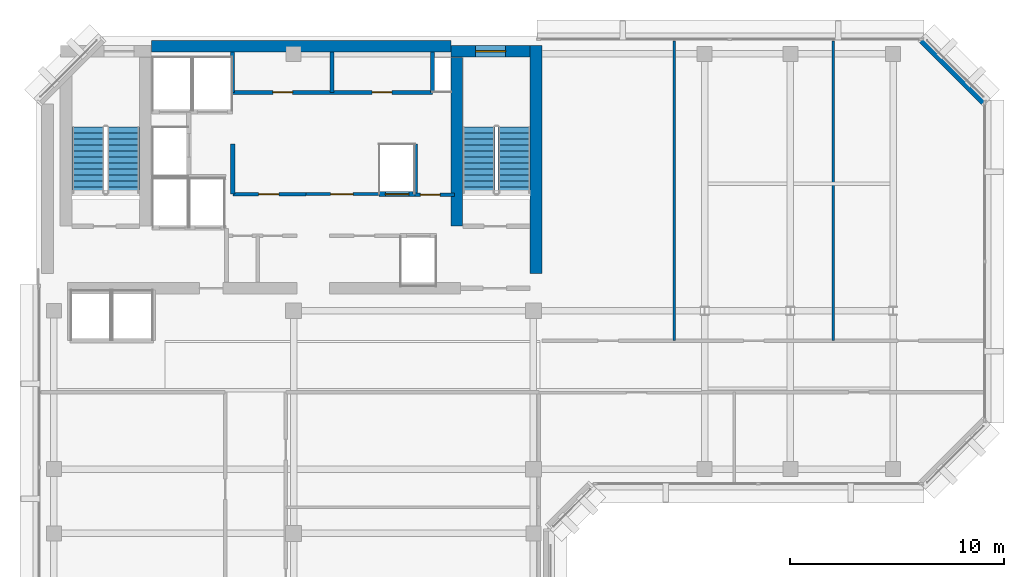
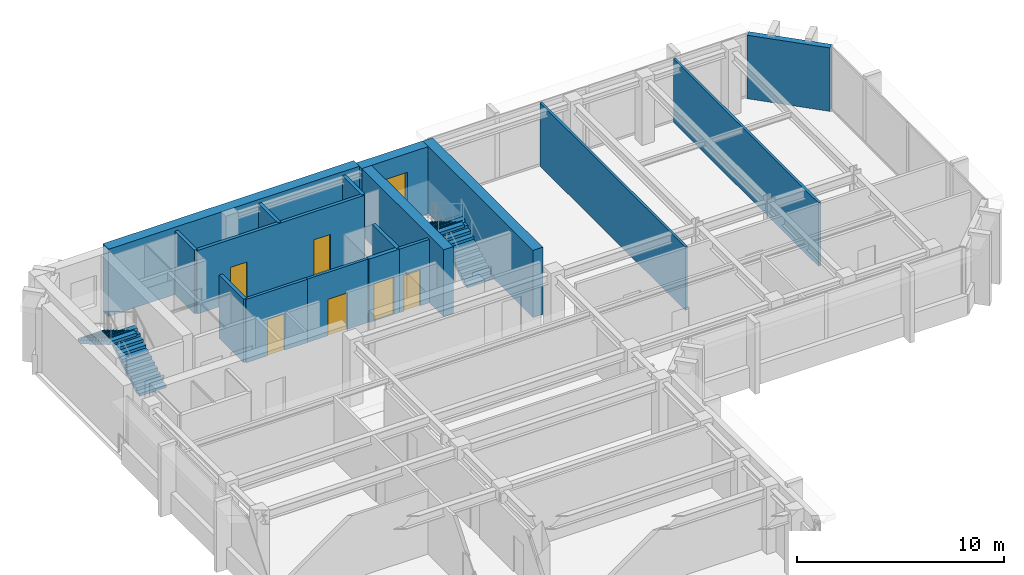
# One storey, part 8 of 11: 17 walls, 6 doors, 4 stair flights, 1 window, 7 openings, 2 elements without a shape of their own.
"""IFC4 building model written with IfcOpenShell, lengths in metres."""

from ifc_helpers import new_model, si_unit, direction, frame, frame_2d, origin, place, context, subcontext, project, spatial, polyline, rectangle, outline, extrude, material, layer, layer_set, type_object, element, fill, aggregate, save


model = new_model("IFC4")

# Units and contexts
model_context = context("Model", 3, precision=1e-05, world=origin(), true_north=direction((0.0, 1.0)))
body_context = subcontext(model_context, "Body", "Model", "MODEL_VIEW")
ifc_project = project(units=[si_unit("LENGTHUNIT", "METRE"), si_unit("AREAUNIT", "SQUARE_METRE"), si_unit("VOLUMEUNIT", "CUBIC_METRE"), si_unit("PLANEANGLEUNIT", "RADIAN"), si_unit("MASSUNIT", "GRAM", prefix="KILO")], contexts=[model_context])

# Site, building, storey
site_placement = place(None, origin())
site = spatial("IfcSite", under=ifc_project, at=site_placement, CompositionType="ELEMENT")
building_placement = place(site_placement, origin())
building = spatial("IfcBuilding", under=site, at=building_placement, Name="Kefirva Bronze Tower", CompositionType="ELEMENT")
storey_placement = place(building_placement, frame((0.0, 0.0, 299.969970703125)))
storey = spatial("IfcBuildingStorey", under=building, at=storey_placement, Name="L73", CompositionType="ELEMENT", Elevation=299.969970703125)

# Walls
ifc_material_1 = material(Name="Gypsum acoustic partition")
ifc_layer_1 = layer(ifc_material_1, 0.1298828125, Name="Gypsum acoustic partition")
ifc_layer_set_1 = layer_set([ifc_layer_1], Name="Gypsum acoustic partition")
wall_type_1 = type_object("IfcWallType", Name="Acoustic Office Partition 130mm", PredefinedType="PARTITIONING", material=ifc_layer_set_1)
for number, where, z_axis, x_axis, name in (
    (1, (29.782958984375, 31.800048828125, 0.0), (0.0, 0.0, 1.0), (0.0, 1.0, 0.0), "L73 Partition W-L73-END1"),
    (2, (37.20263671875, 31.800048828125, 0.0), (0.0, 0.0, 1.0), (0.0, 1.0, 0.0), "L73 Partition W-L73-END2"),
):
    element("IfcWall", number, at=place(storey_placement, frame(where, z_axis=z_axis, x_axis=x_axis)), inside=storey, type_object=wall_type_1, Name=name, PredefinedType="PARTITIONING", context=body_context, shape_type="SweptSolid", body=[
        extrude(rectangle(XDim=14.010009765625, YDim=0.1298828125, at=frame_2d((7.0048828125, 0.0))), origin(), (0.0, 0.0, 1.0), 3.739990234375),
    ])

# Wall, opening, door
ifc_layer_2 = layer(ifc_material_1, 0.14990234375, Name="Gypsum acoustic partition")
ifc_layer_set_2 = layer_set([ifc_layer_2], Name="Gypsum acoustic partition")
wall_type_2 = type_object("IfcWallType", Name="Executive Suite Partition 150mm", PredefinedType="PARTITIONING", material=ifc_layer_set_2)
wall_1_placement = place(storey_placement, frame((12.580078125, 38.64990234375, 0.0), z_axis=(0.0, 0.0, 1.0), x_axis=(1.0, 0.0, 0.0)))
wall_1 = element("IfcWall", 3, at=wall_1_placement, inside=storey, type_object=wall_type_2, Name="L73 Partition W-L73-RECMP2", PredefinedType="PARTITIONING", context=body_context, shape_type="SweptSolid", body=[
    extrude(rectangle(XDim=3.3798828125, YDim=0.14990234375, at=frame_2d((1.68994140625, 0.0))), origin(), (0.0, 0.0, 1.0), 3.739990234375),
])
opening_1_placement = place(wall_1_placement, frame((2.199951171875, 0.0, 0.0), z_axis=(0.0, 0.0, 1.0), x_axis=(-1.0, 0.0, 0.0)))
opening_1 = element("IfcOpeningElement", 4, at=opening_1_placement, cuts=wall_1, Name="Opening L73-D-RECMP2", PredefinedType="OPENING", context=body_context, shape_type="SweptSolid", body=[
    extrude(rectangle(XDim=1.050048828125, YDim=2.14990234375, at=frame_2d((0.52490234375, 1.074951171875))), frame((0.0, 0.0849609375, 0.0), z_axis=(0.0, -1.0, 0.0), x_axis=(1.0, 0.0, 0.0)), (0.0, 0.0, 1.0), 0.169921875),
])
ifc_material_2 = material(Name="Acoustic hardwood oak", Category="wood")
door_type_1 = type_object("IfcDoorType", Name="Executive & Boardroom Door 1050x2150", OperationType="NOTDEFINED", PredefinedType="DOOR", material=ifc_material_2)
door_1_placement = place(opening_1_placement, origin())
door_1 = element("IfcDoor", 5, at=door_1_placement, inside=storey, type_object=door_type_1, Name="Door L73-D-RECMP2", OperationType="SINGLE_SWING_RIGHT", OverallHeight=2.14990234375, OverallWidth=1.050048828125, PredefinedType="DOOR", context=body_context, shape_type="SweptSolid", body=[
    extrude(rectangle(XDim=1.050048828125, YDim=2.14990234375, at=frame_2d((0.52490234375, 1.074951171875))), frame((0.0, 0.02490234375, 0.0), z_axis=(0.0, -1.0, 0.0), x_axis=(1.0, 0.0, 0.0)), (0.0, 0.0, 1.0), 0.050048828125),
])
fill(opening_1, door_1)

# Walls
ifc_material_3 = material(Name="Gypsum fireboard shaftwall")
ifc_layer_3 = layer(ifc_material_3, 0.219970703125, Name="Gypsum fireboard shaftwall")
ifc_layer_set_3 = layer_set([ifc_layer_3], Name="Gypsum fireboard shaftwall")
wall_type_3 = type_object("IfcWallType", Name="Fire-Rated Shaft Enclosure Wall 220mm", PredefinedType="PARTITIONING", material=ifc_layer_set_3)
for number, where, z_axis, x_axis, name in (
    (6, (9.159912109375, 38.64990234375, 0.0), (0.0, 0.0, 1.0), (0.0, 1.0, 0.0), "L73 Partition W-L73-LP3W"),
    (7, (17.679931640625, 38.64990234375, 0.0), (0.0, 0.0, 1.0), (0.0, 1.0, 0.0), "L73 Partition W-L73-HP2E"),
):
    element("IfcWall", number, at=place(storey_placement, frame(where, z_axis=z_axis, x_axis=x_axis)), inside=storey, type_object=wall_type_3, Name=name, PredefinedType="PARTITIONING", context=body_context, shape_type="SweptSolid", body=[
        extrude(rectangle(XDim=2.35009765625, YDim=0.199951171875, at=frame_2d((1.175048828125, 0.0))), origin(), (0.0, 0.0, 1.0), 3.739990234375),
    ])

# Wall, opening, door
wall_2_placement = place(storey_placement, frame((15.97998046875, 38.64990234375, 0.0), z_axis=(0.0, 0.0, 1.0), x_axis=(1.0, 0.0, 0.0)))
wall_2 = element("IfcWall", 8, at=wall_2_placement, inside=storey, type_object=wall_type_3, Name="L73 Partition W-L73-HPN", PredefinedType="PARTITIONING", context=body_context, shape_type="SweptSolid", body=[
    extrude(rectangle(XDim=1.719970703125, YDim=0.219970703125, at=frame_2d((0.85986328125, 0.0))), origin(), (0.0, 0.0, 1.0), 3.739990234375),
])
opening_2_placement = place(wall_2_placement, frame((0.300048828125, 0.0, 0.0)))
opening_2 = element("IfcOpeningElement", 9, at=opening_2_placement, cuts=wall_2, Name="Opening L73-LD-HP2", PredefinedType="OPENING", context=body_context, shape_type="SweptSolid", body=[
    extrude(rectangle(XDim=1.10009765625, YDim=2.199951171875, at=frame_2d((0.550048828125, 1.10009765625))), frame((0.0, 0.1201171875, 0.0), z_axis=(0.0, -1.0, 0.0), x_axis=(1.0, 0.0, 0.0)), (0.0, 0.0, 1.0), 0.239990234375),
])
ifc_material_4 = material(Name="Stainless steel 316", Category="steel")
door_type_2 = type_object("IfcDoorType", Name="Passenger Lift Sliding Landing Door 1100x2200", OperationType="SLIDING_TO_LEFT", PredefinedType="DOOR", material=ifc_material_4)
door_2_placement = place(opening_2_placement, origin())
door_2 = element("IfcDoor", 10, at=door_2_placement, inside=storey, type_object=door_type_2, Name="Door L73-LD-HP2", OperationType="SLIDING_TO_LEFT", OverallHeight=2.199951171875, OverallWidth=1.10009765625, PredefinedType="DOOR", context=body_context, shape_type="SweptSolid", body=[
    extrude(rectangle(XDim=1.10009765625, YDim=2.199951171875, at=frame_2d((0.550048828125, 1.10009765625))), frame((0.0, 0.02490234375, 0.0), z_axis=(0.0, -1.0, 0.0), x_axis=(1.0, 0.0, 0.0)), (0.0, 0.0, 1.0), 0.050048828125),
])
fill(opening_2, door_2)

ifc_material_5 = material(Name="Gypsum fireboard barrier")
ifc_layer_4 = layer(ifc_material_5, 0.199951171875, Name="Gypsum fireboard barrier")
ifc_layer_set_4 = layer_set([ifc_layer_4], Name="Gypsum fireboard barrier")
wall_type_4 = type_object("IfcWallType", Name="Firefighting Lobby Barrier Wall 200mm", PredefinedType="PARTITIONING", material=ifc_layer_set_4)
wall_3_placement = place(storey_placement, frame((17.679931640625, 38.6201171875, 0.0), z_axis=(0.0, 0.0, 1.0), x_axis=(1.0, 0.0, 0.0)))
wall_3 = element("IfcWall", 11, at=wall_3_placement, inside=storey, type_object=wall_type_4, Name="L73 Partition W-L73-CPASS", PredefinedType="PARTITIONING", context=body_context, shape_type="SweptSolid", body=[
    extrude(rectangle(XDim=1.840087890625, YDim=0.179931640625, at=frame_2d((0.919921875, 0.0))), origin(), (0.0, 0.0, 1.0), 3.739990234375),
])
opening_3_placement = place(wall_3_placement, frame((0.239990234375, 0.0, 0.0)))
opening_3 = element("IfcOpeningElement", 12, at=opening_3_placement, cuts=wall_3, Name="Opening L73-D-CPAS", PredefinedType="OPENING", context=body_context, shape_type="SweptSolid", body=[
    extrude(rectangle(XDim=0.919921875, YDim=2.10009765625, at=frame_2d((0.4599609375, 1.050048828125))), frame((0.0, 0.10009765625, 0.0), z_axis=(0.0, -1.0, 0.0), x_axis=(1.0, 0.0, 0.0)), (0.0, 0.0, 1.0), 0.199951171875),
])
ifc_material_6 = material(Name="Moisture-resistant timber", Category="wood")
door_type_3 = type_object("IfcDoorType", Name="Accessible Sanitary & WC Door 920x2100", OperationType="NOTDEFINED", PredefinedType="DOOR", material=ifc_material_6)
door_3_placement = place(opening_3_placement, origin())
door_3 = element("IfcDoor", 13, at=door_3_placement, inside=storey, type_object=door_type_3, Name="Door L73-D-CPAS", OperationType="SINGLE_SWING_LEFT", OverallHeight=2.10009765625, OverallWidth=0.919921875, PredefinedType="DOOR", context=body_context, shape_type="SweptSolid", body=[
    extrude(rectangle(XDim=0.919921875, YDim=2.10009765625, at=frame_2d((0.4599609375, 1.050048828125))), frame((0.0, 0.02490234375, 0.0), z_axis=(0.0, -1.0, 0.0), x_axis=(1.0, 0.0, 0.0)), (0.0, 0.0, 1.0), 0.050048828125),
])
fill(opening_3, door_3)

# Wall
ifc_material_7 = material(Name="Precast concrete C40/50", Category="concrete")
ifc_layer_5 = layer(ifc_material_7, 0.320068359375, Name="Precast concrete C40/50")
ifc_layer_set_5 = layer_set([ifc_layer_5], Name="Precast concrete C40/50")
wall_type_5 = type_object("IfcWallType", Name="Precast Insulated Exterior Wall 320mm", PredefinedType="SOLIDWALL", material=ifc_layer_set_5)
wall_4_placement = place(storey_placement, frame((44.248046875, 42.92578125, 0.0), z_axis=(0.0, 0.0, 1.0), x_axis=(-0.707136318428, 0.707077242712, 0.0)))
element("IfcWall", 14, at=wall_4_placement, inside=storey, type_object=wall_type_5, Name="L73 Exterior Facade Wall 5", PredefinedType="SOLIDWALL", context=body_context, shape_type="SweptSolid", body=[
    extrude(rectangle(XDim=4.132568359375, YDim=0.320068359375, at=frame_2d((2.06640625, 0.0))), origin(), (0.0, 0.0, 1.0), 3.739990234375),
])

# Wall, opening, door
ifc_layer_6 = layer(ifc_material_1, 0.159912109375, Name="Gypsum acoustic partition")
ifc_layer_set_6 = layer_set([ifc_layer_6], Name="Gypsum acoustic partition")
wall_type_6 = type_object("IfcWallType", Name="Protected Corridor Partition 160mm", PredefinedType="PARTITIONING", material=ifc_layer_set_6)
wall_5_placement = place(storey_placement, frame((9.159912109375, 38.64990234375, 0.0), z_axis=(0.0, 0.0, 1.0), x_axis=(1.0, 0.0, 0.0)))
wall_5 = element("IfcWall", 15, at=wall_5_placement, inside=storey, type_object=wall_type_6, Name="L73 Partition W-L73-RECLP2", PredefinedType="PARTITIONING", context=body_context, shape_type="SweptSolid", body=[
    extrude(rectangle(XDim=3.420166015625, YDim=0.159912109375, at=frame_2d((1.7099609375, 0.0))), origin(), (0.0, 0.0, 1.0), 3.739990234375),
])
opening_4_placement = place(wall_5_placement, frame((2.14990234375, 0.0, 0.0), z_axis=(0.0, 0.0, 1.0), x_axis=(-1.0, 0.0, 0.0)))
opening_4 = element("IfcOpeningElement", 16, at=opening_4_placement, cuts=wall_5, Name="Opening L73-D-RECLP2", PredefinedType="OPENING", context=body_context, shape_type="SweptSolid", body=[
    extrude(rectangle(XDim=0.949951171875, YDim=2.14990234375, at=frame_2d((0.47509765625, 1.074951171875))), frame((0.0, 0.08984375, 0.0), z_axis=(0.0, -1.0, 0.0), x_axis=(1.0, 0.0, 0.0)), (0.0, 0.0, 1.0), 0.179931640625),
])
door_type_4 = type_object("IfcDoorType", Name="Office & Meeting Room Door 950x2150", OperationType="NOTDEFINED", PredefinedType="DOOR", material=ifc_material_2)
door_4_placement = place(opening_4_placement, origin())
door_4 = element("IfcDoor", 17, at=door_4_placement, inside=storey, type_object=door_type_4, Name="Door L73-D-RECLP2", OperationType="SINGLE_SWING_RIGHT", OverallHeight=2.14990234375, OverallWidth=0.949951171875, PredefinedType="DOOR", context=body_context, shape_type="SweptSolid", body=[
    extrude(rectangle(XDim=0.949951171875, YDim=2.14990234375, at=frame_2d((0.47509765625, 1.074951171875))), frame((0.0, 0.02490234375, 0.0), z_axis=(0.0, -1.0, 0.0), x_axis=(1.0, 0.0, 0.0)), (0.0, 0.0, 1.0), 0.050048828125),
])
fill(opening_4, door_4)

# Wall
ifc_material_8 = material(Name="Concrete C50/60", Category="concrete")
ifc_layer_7 = layer(ifc_material_8, 0.550048828125, Name="Concrete C50/60")
ifc_layer_set_7 = layer_set([ifc_layer_7], Name="Concrete C50/60")
wall_type_7 = type_object("IfcWallType", Name="RC Rear Core Exterior Wall 550mm", PredefinedType="SHEAR", material=ifc_layer_set_7)
wall_6_placement = place(storey_placement, frame((5.360107421875, 45.550048828125, 0.0), z_axis=(0.0, 0.0, 1.0), x_axis=(1.0, 0.0, 0.0)))
element("IfcWall", 18, at=wall_6_placement, inside=storey, type_object=wall_type_7, Name="L73 Rear Core North Shear Wall", PredefinedType="SHEAR", context=body_context, shape_type="SweptSolid", body=[
    extrude(rectangle(XDim=13.97998046875, YDim=0.550048828125, at=frame_2d((6.989990234375, 0.0))), origin(), (0.0, 0.0, 1.0), 3.9599609375),
])

# Wall, opening, window
wall_7_placement = place(storey_placement, frame((19.35009765625, 45.320068359375, 0.0), z_axis=(0.0, 0.0, 1.0), x_axis=(1.0, 0.0, 0.0)))
wall_7 = element("IfcWall", 19, at=wall_7_placement, inside=storey, type_object=wall_type_7, Name="L73 Stair 2 North Shear Wall", PredefinedType="SHEAR", context=body_context, shape_type="SweptSolid", body=[
    extrude(rectangle(XDim=3.68994140625, YDim=0.550048828125, at=frame_2d((1.844970703125, 0.0))), origin(), (0.0, 0.0, 1.0), 3.9599609375),
])
opening_5_placement = place(wall_7_placement, frame((1.14990234375, 0.0, 1.050048828125)))
opening_5 = element("IfcOpeningElement", 20, at=opening_5_placement, cuts=wall_7, Name="Opening WN-03", PredefinedType="OPENING", context=body_context, shape_type="SweptSolid", body=[
    extrude(rectangle(XDim=1.39990234375, YDim=1.800048828125, at=frame_2d((0.699951171875, 0.89990234375))), frame((0.0, 0.28515625, 0.0), z_axis=(0.0, -1.0, 0.0), x_axis=(1.0, 0.0, 0.0)), (0.0, 0.0, 1.0), 0.570068359375),
])
ifc_material_9 = material(Name="Laminated low-E double glazing", Category="glass")
window_type = type_object("IfcWindowType", Name="Rear-Core Stair Daylight Window 1400x1800", PartitioningType="SINGLE_PANEL", PredefinedType="WINDOW", material=ifc_material_9)
window_placement = place(opening_5_placement, origin())
window = element("IfcWindow", 21, at=window_placement, inside=storey, type_object=window_type, Name="L73 Stair 2 Daylight Window", OverallHeight=1.800048828125, OverallWidth=1.39990234375, PartitioningType="SINGLE_PANEL", PredefinedType="WINDOW", context=body_context, shape_type="SweptSolid", body=[
    extrude(rectangle(XDim=1.39990234375, YDim=1.800048828125, at=frame_2d((0.699951171875, 0.89990234375))), frame((0.0, 0.030029296875, 0.0), z_axis=(0.0, -1.0, 0.0), x_axis=(1.0, 0.0, 0.0)), (0.0, 0.0, 1.0), 0.06005859375),
])
fill(opening_5, window)

# Walls
ifc_layer_8 = layer(ifc_material_8, 0.550048828125, Name="Concrete C50/60")
ifc_layer_set_8 = layer_set([ifc_layer_8], Name="Concrete C50/60")
wall_type_8 = type_object("IfcWallType", Name="RC Rear Core Interior Wall 550mm", PredefinedType="SHEAR", material=ifc_layer_set_8)
wall_8_placement = place(storey_placement, frame((23.324951171875, 34.949951171875, 0.0), z_axis=(0.0, 0.0, 1.0), x_axis=(0.0, 1.0, 0.0)))
element("IfcWall", 22, at=wall_8_placement, inside=storey, type_object=wall_type_8, Name="L73 Rear Core East Shear Wall", PredefinedType="SHEAR", context=body_context, shape_type="SweptSolid", body=[
    extrude(rectangle(XDim=10.64013671875, YDim=0.550048828125, at=frame_2d((5.320068359375, 0.0))), origin(), (0.0, 0.0, 1.0), 3.9599609375),
])
wall_9_placement = place(storey_placement, frame((19.6201171875, 37.14990234375, 0.0), z_axis=(0.0, 0.0, 1.0), x_axis=(0.0, 1.0, 0.0)))
element("IfcWall", 23, at=wall_9_placement, inside=storey, type_object=wall_type_8, Name="L73 Stair 2 West Shear Wall", PredefinedType="SHEAR", context=body_context, shape_type="SweptSolid", body=[
    extrude(rectangle(XDim=7.89013671875, YDim=0.550048828125, at=frame_2d((3.945068359375, 0.0))), origin(), (0.0, 0.0, 1.0), 3.9599609375),
])

# Wall, openings, doors
ifc_material_10 = material(Name="Moisture-resistant partition")
ifc_layer_9 = layer(ifc_material_10, 0.179931640625, Name="Moisture-resistant partition")
ifc_layer_set_9 = layer_set([ifc_layer_9], Name="Moisture-resistant partition")
wall_type_9 = type_object("IfcWallType", Name="Sanitary Plumbing Chase Wall 180mm", PredefinedType="PLUMBINGWALL", material=ifc_layer_set_9)
wall_10_placement = place(storey_placement, frame((9.14990234375, 43.39990234375, 0.0), z_axis=(0.0, 0.0, 1.0), x_axis=(1.0, 0.0, 0.0)))
wall_10 = element("IfcWall", 24, at=wall_10_placement, inside=storey, type_object=wall_type_9, Name="L73 Partition W-L73-SVCS", PredefinedType="PLUMBINGWALL", context=body_context, shape_type="SweptSolid", body=[
    extrude(rectangle(XDim=9.330078125, YDim=0.179931640625, at=frame_2d((4.6650390625, 0.0))), origin(), (0.0, 0.0, 1.0), 3.739990234375),
])
opening_6_placement = place(wall_10_placement, frame((1.8798828125, 0.0, 0.0)))
opening_6 = element("IfcOpeningElement", 25, at=opening_6_placement, cuts=wall_10, Name="Opening L73-D-CSVC1", PredefinedType="OPENING", context=body_context, shape_type="SweptSolid", body=[
    extrude(rectangle(XDim=0.919921875, YDim=2.10009765625, at=frame_2d((0.4599609375, 1.050048828125))), frame((0.0, 0.10009765625, 0.0), z_axis=(0.0, -1.0, 0.0), x_axis=(1.0, 0.0, 0.0)), (0.0, 0.0, 1.0), 0.199951171875),
])
opening_7_placement = place(wall_10_placement, frame((6.514892578125, 0.0, 0.0)))
opening_7 = element("IfcOpeningElement", 26, at=opening_7_placement, cuts=wall_10, Name="Opening L73-D-CSVC2", PredefinedType="OPENING", context=body_context, shape_type="SweptSolid", body=[
    extrude(rectangle(XDim=0.919921875, YDim=2.10009765625, at=frame_2d((0.4599609375, 1.050048828125))), frame((0.0, 0.10009765625, 0.0), z_axis=(0.0, -1.0, 0.0), x_axis=(1.0, 0.0, 0.0)), (0.0, 0.0, 1.0), 0.199951171875),
])
door_5_placement = place(opening_6_placement, origin())
door_5 = element("IfcDoor", 27, at=door_5_placement, inside=storey, type_object=door_type_3, Name="Door L73-D-CSVC1", OperationType="SINGLE_SWING_LEFT", OverallHeight=2.10009765625, OverallWidth=0.919921875, PredefinedType="DOOR", context=body_context, shape_type="SweptSolid", body=[
    extrude(rectangle(XDim=0.919921875, YDim=2.10009765625, at=frame_2d((0.4599609375, 1.050048828125))), frame((0.0, 0.02490234375, 0.0), z_axis=(0.0, -1.0, 0.0), x_axis=(1.0, 0.0, 0.0)), (0.0, 0.0, 1.0), 0.050048828125),
])
fill(opening_6, door_5)
door_6_placement = place(opening_7_placement, origin())
door_6 = element("IfcDoor", 28, at=door_6_placement, inside=storey, type_object=door_type_3, Name="Door L73-D-CSVC2", OperationType="SINGLE_SWING_RIGHT", OverallHeight=2.10009765625, OverallWidth=0.919921875, PredefinedType="DOOR", context=body_context, shape_type="SweptSolid", body=[
    extrude(rectangle(XDim=0.919921875, YDim=2.10009765625, at=frame_2d((0.4599609375, 1.050048828125))), frame((0.0, 0.02490234375, 0.0), z_axis=(0.0, -1.0, 0.0), x_axis=(1.0, 0.0, 0.0)), (0.0, 0.0, 1.0), 0.050048828125),
])
fill(opening_7, door_6)

# Walls
for number, where, z_axis, x_axis, name in (
    (29, (9.14990234375, 43.39990234375, 0.0), (0.0, 0.0, 1.0), (0.0, 1.0, 0.0), "L73 Partition W-L73-SVCW"),
    (30, (18.47998046875, 43.39990234375, 0.0), (0.0, 0.0, 1.0), (0.0, 1.0, 0.0), "L73 Partition W-L73-SVCE"),
    (31, (13.800048828125, 43.39990234375, 0.0), (0.0, 0.0, 1.0), (0.0, 1.0, 0.0), "L73 Partition W-L73-CSVD-1"),
):
    element("IfcWall", number, at=place(storey_placement, frame(where, z_axis=z_axis, x_axis=x_axis)), inside=storey, type_object=wall_type_9, Name=name, PredefinedType="PLUMBINGWALL", context=body_context, shape_type="SweptSolid", body=[
        extrude(rectangle(XDim=1.880126953125, YDim=0.179931640625, at=frame_2d((0.93994140625, 0.0))), origin(), (0.0, 0.0, 1.0), 3.739990234375),
    ])

# Stair, stair flights
ifc_material_11 = material(Name="Concrete C40/50", Category="concrete")
stair_type = type_object("IfcStairType", Name="RC Dogleg Protected Stair 24R", PredefinedType="HALF_TURN_STAIR", material=ifc_material_11)
stair_1_placement = place(storey_placement, origin())
stair_1 = element("IfcStair", 32, at=stair_1_placement, inside=storey, type_object=stair_type, Name="L73 Protected Exit Stair 1", PredefinedType="HALF_TURN_STAIR")
stair_flight_type = type_object("IfcStairFlightType", Name="RC Straight Stair Flight 24R", PredefinedType="STRAIGHT", material=ifc_material_11)
stair_flight_1_placement = place(storey_placement, frame((4.050048828125, 38.699951171875, 0.0), z_axis=(0.0, 0.0, 1.0), x_axis=(0.0, 1.0, 0.0)))
stair_flight_1 = element("IfcStairFlight", 33, at=stair_flight_1_placement, type_object=stair_flight_type, Name="ST-1 flight 1", NumberOfRisers=12, NumberOfTreads=11, PredefinedType="STRAIGHT", RiserHeight=0.165, TreadLength=0.28, context=body_context, shape_type="SweptSolid", body=[
    extrude(outline(polyline([(0.0, 0.0), (0.0, 0.1650390625), (0.280029296875, 0.1650390625), (0.280029296875, 0.330078125), (0.56005859375, 0.330078125), (0.56005859375, 0.4951171875), (0.840087890625, 0.4951171875), (0.840087890625, 0.659912109375), (1.1201171875, 0.659912109375), (1.1201171875, 0.824951171875), (1.39990234375, 0.824951171875), (1.39990234375, 0.989990234375), (1.679931640625, 0.989990234375), (1.679931640625, 1.155029296875), (1.9599609375, 1.155029296875), (1.9599609375, 1.320068359375), (2.239990234375, 1.320068359375), (2.239990234375, 1.485107421875), (2.52001953125, 1.485107421875), (2.52001953125, 1.64990234375), (2.800048828125, 1.64990234375), (2.800048828125, 1.81494140625), (3.080078125, 1.81494140625), (3.080078125, 1.97998046875), (3.080078125, 1.64111328125), (0.295166015625, 0.0), (0.0, 0.0)])), frame((0.0, 0.75, 0.0), z_axis=(0.0, -1.0, 0.0), x_axis=(1.0, 0.0, 0.0)), (0.0, 0.0, 1.0), 1.5),
])
stair_flight_2_placement = place(storey_placement, frame((2.39990234375, 41.780029296875, 1.97998046875), z_axis=(0.0, 0.0, 1.0), x_axis=(0.0, -1.0, 0.0)))
stair_flight_2 = element("IfcStairFlight", 34, at=stair_flight_2_placement, type_object=stair_flight_type, Name="ST-1 flight 2", NumberOfRisers=12, NumberOfTreads=11, PredefinedType="STRAIGHT", RiserHeight=0.165, TreadLength=0.28, context=body_context, shape_type="SweptSolid", body=[
    extrude(outline(polyline([(0.0, 0.0), (0.0, 0.1650390625), (0.280029296875, 0.1650390625), (0.280029296875, 0.330078125), (0.56005859375, 0.330078125), (0.56005859375, 0.4951171875), (0.840087890625, 0.4951171875), (0.840087890625, 0.659912109375), (1.1201171875, 0.659912109375), (1.1201171875, 0.824951171875), (1.39990234375, 0.824951171875), (1.39990234375, 0.989990234375), (1.679931640625, 0.989990234375), (1.679931640625, 1.155029296875), (1.9599609375, 1.155029296875), (1.9599609375, 1.320068359375), (2.239990234375, 1.320068359375), (2.239990234375, 1.485107421875), (2.52001953125, 1.485107421875), (2.52001953125, 1.64990234375), (2.800048828125, 1.64990234375), (2.800048828125, 1.81494140625), (3.080078125, 1.81494140625), (3.080078125, 1.97998046875), (3.080078125, 1.64111328125), (0.295166015625, 0.0), (0.0, 0.0)])), frame((0.0, 0.75, 0.0), z_axis=(0.0, -1.0, 0.0), x_axis=(1.0, 0.0, 0.0)), (0.0, 0.0, 1.0), 1.5),
])
aggregate(stair_1, [stair_flight_1, stair_flight_2])

stair_2_placement = place(storey_placement, origin())
stair_2 = element("IfcStair", 35, at=stair_2_placement, inside=storey, type_object=stair_type, Name="L73 Protected Exit Stair 2", PredefinedType="HALF_TURN_STAIR")
stair_flight_3_placement = place(storey_placement, frame((22.300048828125, 38.699951171875, 0.0), z_axis=(0.0, 0.0, 1.0), x_axis=(0.0, 1.0, 0.0)))
stair_flight_3 = element("IfcStairFlight", 36, at=stair_flight_3_placement, type_object=stair_flight_type, Name="ST-2 flight 1", NumberOfRisers=12, NumberOfTreads=11, PredefinedType="STRAIGHT", RiserHeight=0.165, TreadLength=0.28, context=body_context, shape_type="SweptSolid", body=[
    extrude(outline(polyline([(0.0, 0.0), (0.0, 0.1650390625), (0.280029296875, 0.1650390625), (0.280029296875, 0.330078125), (0.56005859375, 0.330078125), (0.56005859375, 0.4951171875), (0.840087890625, 0.4951171875), (0.840087890625, 0.659912109375), (1.1201171875, 0.659912109375), (1.1201171875, 0.824951171875), (1.39990234375, 0.824951171875), (1.39990234375, 0.989990234375), (1.679931640625, 0.989990234375), (1.679931640625, 1.155029296875), (1.9599609375, 1.155029296875), (1.9599609375, 1.320068359375), (2.239990234375, 1.320068359375), (2.239990234375, 1.485107421875), (2.52001953125, 1.485107421875), (2.52001953125, 1.64990234375), (2.800048828125, 1.64990234375), (2.800048828125, 1.81494140625), (3.080078125, 1.81494140625), (3.080078125, 1.97998046875), (3.080078125, 1.64111328125), (0.295166015625, 0.0), (0.0, 0.0)])), frame((0.0, 0.75, 0.0), z_axis=(0.0, -1.0, 0.0), x_axis=(1.0, 0.0, 0.0)), (0.0, 0.0, 1.0), 1.5),
])
stair_flight_4_placement = place(storey_placement, frame((20.64990234375, 41.780029296875, 1.97998046875), z_axis=(0.0, 0.0, 1.0), x_axis=(0.0, -1.0, 0.0)))
stair_flight_4 = element("IfcStairFlight", 37, at=stair_flight_4_placement, type_object=stair_flight_type, Name="ST-2 flight 2", NumberOfRisers=12, NumberOfTreads=11, PredefinedType="STRAIGHT", RiserHeight=0.165, TreadLength=0.28, context=body_context, shape_type="SweptSolid", body=[
    extrude(outline(polyline([(0.0, 0.0), (0.0, 0.1650390625), (0.280029296875, 0.1650390625), (0.280029296875, 0.330078125), (0.56005859375, 0.330078125), (0.56005859375, 0.4951171875), (0.840087890625, 0.4951171875), (0.840087890625, 0.659912109375), (1.1201171875, 0.659912109375), (1.1201171875, 0.824951171875), (1.39990234375, 0.824951171875), (1.39990234375, 0.989990234375), (1.679931640625, 0.989990234375), (1.679931640625, 1.155029296875), (1.9599609375, 1.155029296875), (1.9599609375, 1.320068359375), (2.239990234375, 1.320068359375), (2.239990234375, 1.485107421875), (2.52001953125, 1.485107421875), (2.52001953125, 1.64990234375), (2.800048828125, 1.64990234375), (2.800048828125, 1.81494140625), (3.080078125, 1.81494140625), (3.080078125, 1.97998046875), (3.080078125, 1.64111328125), (0.295166015625, 0.0), (0.0, 0.0)])), frame((0.0, 0.75, 0.0), z_axis=(0.0, -1.0, 0.0), x_axis=(1.0, 0.0, 0.0)), (0.0, 0.0, 1.0), 1.5),
])
aggregate(stair_2, [stair_flight_3, stair_flight_4])

save(model, "model.ifc")
